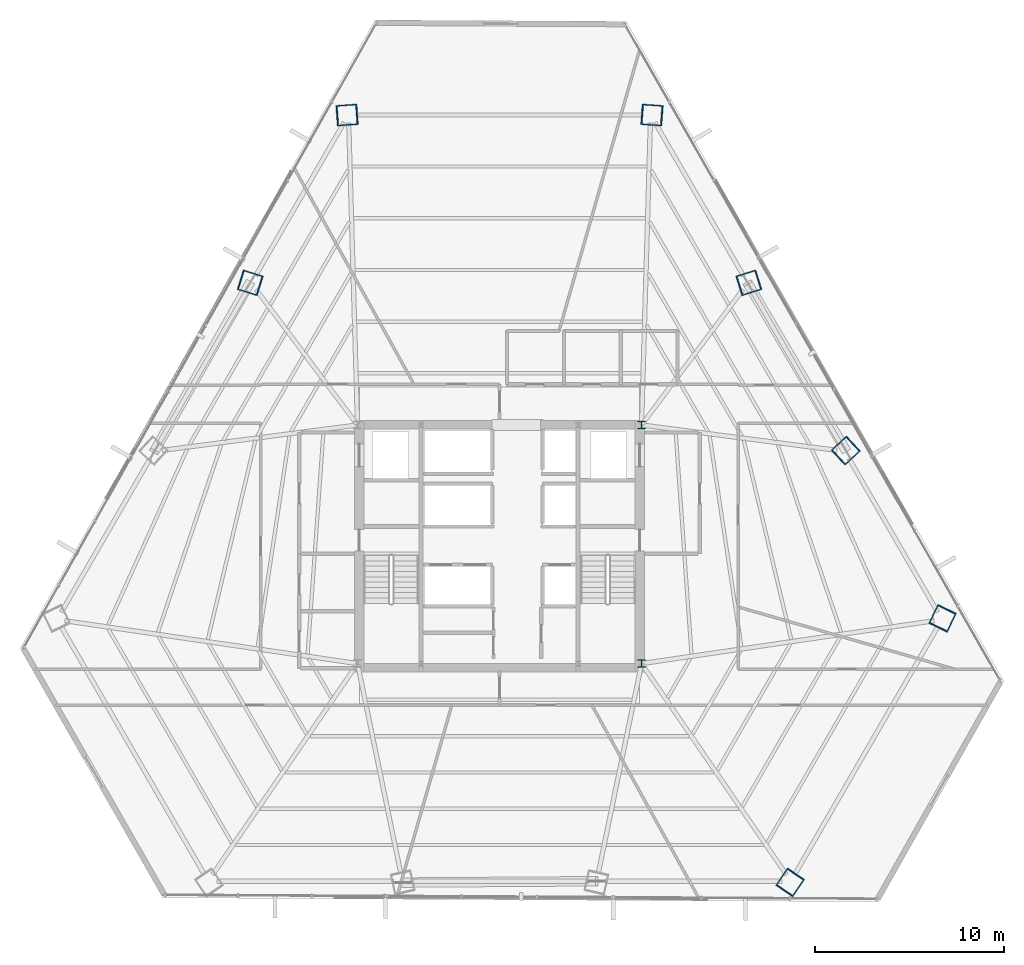
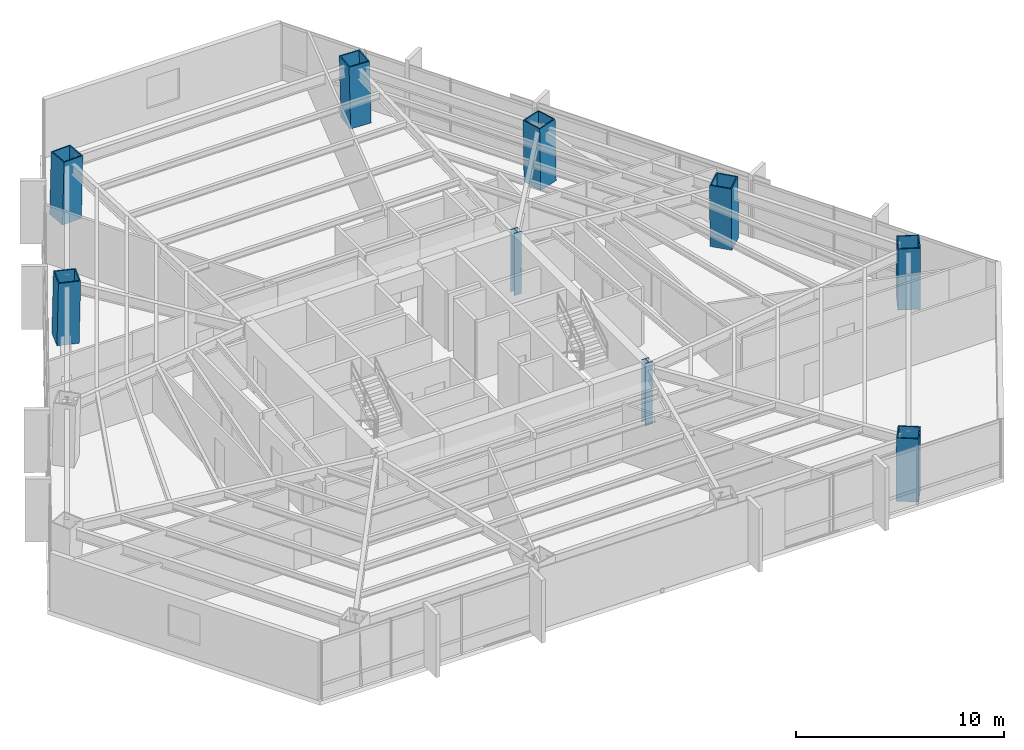
# One storey, part 3 of 36: 9 columns.
"""IFC4 building model written with IfcOpenShell, lengths in metres."""

from ifc_helpers import new_model, si_unit, direction, frame, origin, origin_2d, place, context, subcontext, project, spatial, hollow_rectangle, i_section, extrude, source, transform, mapped, material, material_profile, profile_set, type_object, type_shapes, element, save


model = new_model("IFC4")

# Units and contexts
model_context = context("Model", 3, precision=1e-05, world=origin(), true_north=direction((0.0, 1.0)))
body_context = subcontext(model_context, "Body", "Model", "MODEL_VIEW")
ifc_project = project(units=[si_unit("LENGTHUNIT", "METRE"), si_unit("AREAUNIT", "SQUARE_METRE"), si_unit("VOLUMEUNIT", "CUBIC_METRE"), si_unit("PLANEANGLEUNIT", "RADIAN"), si_unit("MASSUNIT", "GRAM", prefix="KILO")], contexts=[model_context])

# Site, building, storey
site_placement = place(None, origin())
site = spatial("IfcSite", under=ifc_project, at=site_placement, CompositionType="ELEMENT")
building_placement = place(site_placement, origin())
building = spatial("IfcBuilding", under=site, at=building_placement, Name="Caelisora Broadcast Tower", CompositionType="ELEMENT")
storey_placement = place(building_placement, frame((0.0, 0.0, 79.85009765625)))
storey = spatial("IfcBuildingStorey", under=building, at=storey_placement, Name="L20", CompositionType="ELEMENT", Elevation=79.85009765625)

# Columns
ifc_material_1 = material(Name="Steel Grade 350 (AS/NZS 3679.2)", Category="steel")
ifc_material_profile_1 = material_profile(ifc_material_1, i_section(OverallWidth=0.39990234375, OverallDepth=0.39990234375, WebThickness=0.02001953125, FlangeThickness=0.031982421875, at=origin_2d()), Name="Steel Grade 350 (AS/NZS 3679.2)")
ifc_profile_set_1 = profile_set([ifc_material_profile_1], Name="Steel Grade 350 (AS/NZS 3679.2)")
column_type_1 = type_object("IfcColumnType", Name="CC02", PredefinedType="COLUMN", material=ifc_profile_set_1)
shared_shape_1 = source(origin(), body_context, "Body", "SweptSolid", [
    extrude(i_section(OverallWidth=0.39990234375, OverallDepth=0.39990234375, WebThickness=0.02001953125, FlangeThickness=0.031982421875, at=origin_2d()), origin(), (0.0, 0.0, 1.0), 3.64990234375),
])
type_shapes(column_type_1, [shared_shape_1])
for number, where, z_axis, x_axis, name in (
    (1, (45.5, 17.39990234375, 0.0), (0.0, 0.0, 1.0), (1.0, 0.0, 0.0), "L20 column CC02"),
    (2, (45.5, 30.0, 0.0), (0.0, 0.0, 1.0), (1.0, 0.0, 0.0), "L20 column CC02"),
):
    element("IfcColumn", number, at=place(storey_placement, frame(where, z_axis=z_axis, x_axis=x_axis)), inside=storey, type_object=column_type_1, Name=name, PredefinedType="COLUMN", context=body_context, shape_type="MappedRepresentation", body=[
        mapped(shared_shape_1, transform((0.0, 0.0, 0.0), scale=1.0)),
    ])
ifc_material_2 = material(Name="Steel Grade 350 L15 (AS/NZS 3678)", Category="steel")
ifc_material_profile_2 = material_profile(ifc_material_2, hollow_rectangle(XDim=1.10009765625, YDim=1.10009765625, WallThickness=0.06005859375, at=origin_2d()), Name="Steel Grade 350 L15 (AS/NZS 3678)")
ifc_profile_set_2 = profile_set([ifc_material_profile_2], Name="Steel Grade 350 L15 (AS/NZS 3678)")
column_type_2 = type_object("IfcColumnType", Name="MC03", PredefinedType="COLUMN", material=ifc_profile_set_2)
shared_shape_2 = source(origin(), body_context, "Body", "SweptSolid", [
    extrude(hollow_rectangle(XDim=1.10009765625, YDim=1.10009765625, WallThickness=0.06005859375, at=origin_2d()), origin(), (0.0, 0.0, 1.0), 3.65087890625),
])
for number, where, z_axis, x_axis, name in (
    (3, (46.0634765625, 46.364013671875, 0.0), (-0.023872756997, 0.001738632162, 0.999713493273), (-0.07263675076, -0.997358462359, 0.0), "L20 column MC03"),
    (4, (29.9365234375, 46.364013671875, 0.0), (0.023872756997, 0.001738632162, 0.999713493273), (-0.07263675076, 0.997358462359, 0.0), "L20 column MC03"),
    (5, (53.336181640625, 5.8349609375, 0.0), (0.013440967269, 0.019793663242, 0.999713734673), (-0.827290216258, 0.561774775229, 0.0), "L20 column MC03"),
    (6, (61.3994140625, 19.801025390625, 0.0), (-0.010431795422, -0.021532295679, 0.999713727968), (0.899947055326, -0.435999194506, 0.0), "L20 column MC03"),
):
    element("IfcColumn", number, at=place(storey_placement, frame(where, z_axis=z_axis, x_axis=x_axis)), inside=storey, type_object=column_type_2, Name=name, PredefinedType="COLUMN", context=body_context, shape_type="MappedRepresentation", body=[
        mapped(shared_shape_2, transform((0.0, 0.0, 0.0), scale=1.0)),
    ])
shared_shape_3 = source(origin(), body_context, "Body", "SweptSolid", [
    extrude(hollow_rectangle(XDim=1.10009765625, YDim=1.10009765625, WallThickness=0.06005859375, at=origin_2d()), origin(), (0.0, 0.0, 1.0), 3.650634765625),
])
type_shapes(column_type_2, [shared_shape_2, shared_shape_3])
for number, where, z_axis, x_axis, name in (
    (7, (24.82470703125, 37.509765625, 0.0), (0.019393993486, -0.006018825565, 0.999793802119), (0.296399214872, 0.955064136811, 0.0), "L20 column MC03"),
    (8, (56.287353515625, 28.655517578125, 0.0), (-0.014913299626, -0.013843287097, 0.999792957015), (0.680325028146, -0.732910537568, 0.0), "L20 column MC03"),
    (9, (51.17529296875, 37.509765625, 0.0), (-0.019393993486, -0.006018825565, 0.999793802119), (0.296399214872, -0.955064136811, 0.0), "L20 column MC03"),
):
    element("IfcColumn", number, at=place(storey_placement, frame(where, z_axis=z_axis, x_axis=x_axis)), inside=storey, type_object=column_type_2, Name=name, PredefinedType="COLUMN", context=body_context, shape_type="MappedRepresentation", body=[
        mapped(shared_shape_3, transform((0.0, 0.0, 0.0), scale=1.0)),
    ])

save(model, "model.ifc")
